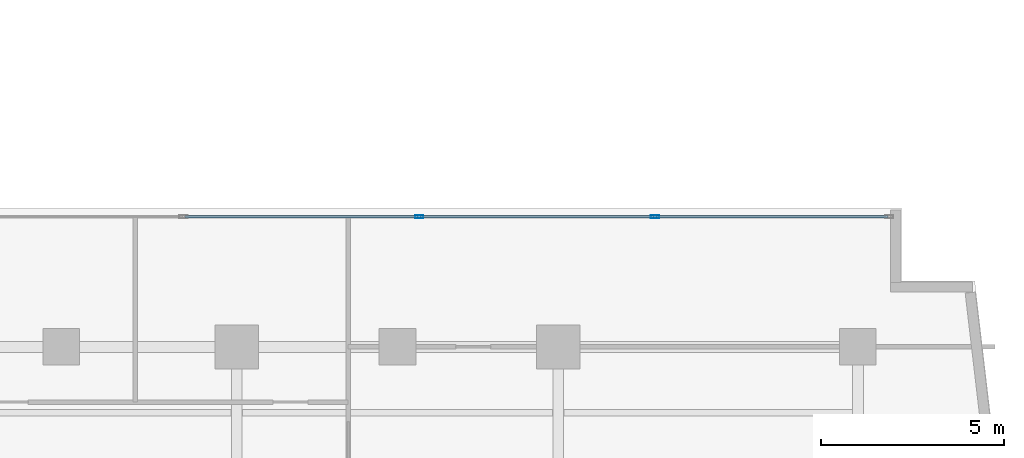
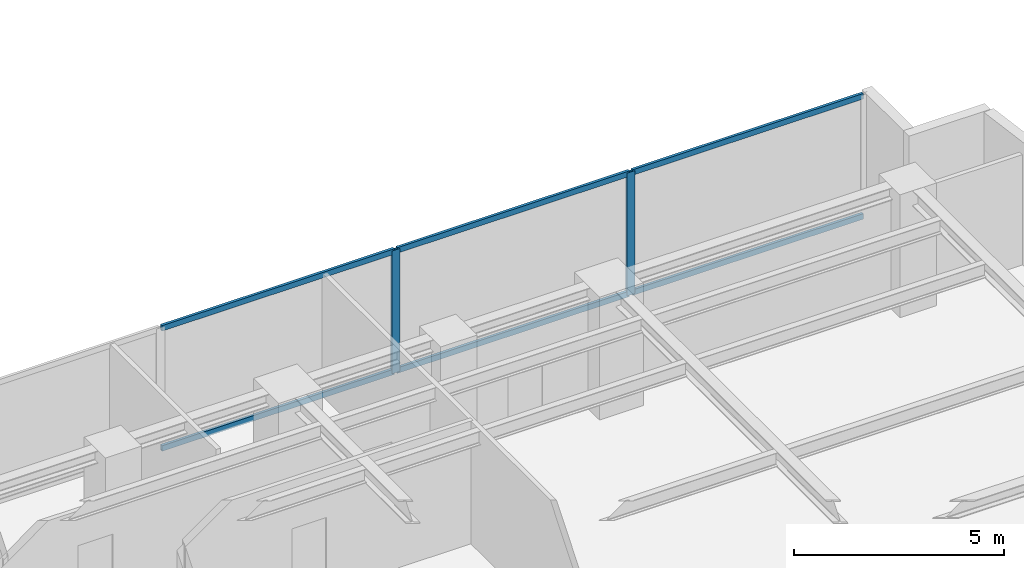
# One storey, part 13 of 26: 8 members, 1 element without a shape of its own.
"""IFC4 building model written with IfcOpenShell, lengths in metres."""

import ifcopenshell
import ifcopenshell.guid

model = None  # the IFC model being written
_history = None  # IfcOwnerHistory: only IFC2X3 demands one
_inside = {}  # id of a spatial element -> (the spatial element, [elements in it])
_under = {}  # id of a project, library or spatial element -> (it, [spatial elements below it])
_declared = {}  # id of a project -> (the project, [libraries it declares])
_typed = {}  # id of a type object -> (the type object, [elements of that type])
_made_of = {}  # id of a material, layer set ... -> (it, [elements and type objects made of it])


def new_model(schema):
    """Start an empty IFC model of exactly this schema.

    Asked for "IFC4X3", IfcOpenShell would pick the latest addendum, in which some entities
    have other attributes; the version numbers below select the first issue.
    IFC2X3 requires an IfcOwnerHistory on every rooted entity: one is made here for all.
    """
    global model, _history
    if schema == "IFC4X3":
        model = ifcopenshell.file(schema_version=(4, 3, 0, 0))
    else:
        model = ifcopenshell.file(schema=schema)
    _inside.clear()
    _under.clear()
    _declared.clear()
    _typed.clear()
    _made_of.clear()
    _history = None
    if model.schema == "IFC2X3":
        org = make("IfcOrganization", Name="unknown")
        user = make(
            "IfcPersonAndOrganization",
            ThePerson=make("IfcPerson", FamilyName="unknown"),
            TheOrganization=org,
        )
        app = make(
            "IfcApplication",
            ApplicationDeveloper=org,
            Version="unknown",
            ApplicationFullName="unknown",
            ApplicationIdentifier="unknown",
        )
        _history = make(
            "IfcOwnerHistory",
            OwningUser=user,
            OwningApplication=app,
            ChangeAction="ADDED",
            CreationDate=0,
        )
    return model


def make(cls, **values):
    """One entity of the class cls with the attributes given. An attribute that is None is left unset."""
    return model.create_entity(
        cls, **{name: value for name, value in values.items() if value is not None}
    )


def rooted(cls, **values):
    """An entity with a GlobalId (a new one), such as an element, a storey or a relation."""
    return make(cls, GlobalId=ifcopenshell.guid.new(), OwnerHistory=_history, **values)


def si_unit(unit_type, name, prefix=None):
    """IfcSIUnit, for example si_unit("LENGTHUNIT", "METRE", prefix="MILLI")."""
    return make("IfcSIUnit", UnitType=unit_type, Prefix=prefix, Name=name)


def assignment(units):
    """IfcUnitAssignment: the units of a project."""
    return None if units is None else make("IfcUnitAssignment", Units=units)


def point(xyz):
    """IfcCartesianPoint."""
    return None if xyz is None else make("IfcCartesianPoint", Coordinates=xyz)


def direction(xyz):
    """IfcDirection."""
    return None if xyz is None else make("IfcDirection", DirectionRatios=xyz)


def frame(location, z_axis=None, x_axis=None):
    """IfcAxis2Placement3D, a coordinate frame: its origin and axes. An axis left out is left unset."""
    return make(
        "IfcAxis2Placement3D",
        Location=point(location),
        Axis=direction(z_axis),
        RefDirection=direction(x_axis),
    )


def frame_2d(location, x_axis=None):
    """IfcAxis2Placement2D, a coordinate frame in the plane: its origin and x axis."""
    return make(
        "IfcAxis2Placement2D", Location=point(location), RefDirection=direction(x_axis)
    )


def origin():
    """The frame at (0, 0, 0) with its axes left unset."""
    return frame((0.0, 0.0, 0.0))


def origin_with_axes():
    """The frame at (0, 0, 0) with the z axis (0, 0, 1) and the x axis (1, 0, 0) written out."""
    return frame((0.0, 0.0, 0.0), z_axis=(0.0, 0.0, 1.0), x_axis=(1.0, 0.0, 0.0))


def origin_2d():
    """The frame at (0, 0) in the plane with its x axis left unset."""
    return frame_2d((0.0, 0.0))


def place(relative_to, where):
    """IfcLocalPlacement: puts the frame where relative to a parent placement (None: the world)."""
    return make(
        "IfcLocalPlacement", PlacementRelTo=relative_to, RelativePlacement=where
    )


def context(
    kind, dimensions, precision=None, world=None, true_north=None, identifier=None
):
    """IfcGeometricRepresentationContext, for example the 3D "Model" context."""
    return make(
        "IfcGeometricRepresentationContext",
        ContextIdentifier=identifier,
        ContextType=kind,
        CoordinateSpaceDimension=dimensions,
        Precision=precision,
        WorldCoordinateSystem=world,
        TrueNorth=true_north,
    )


def subcontext(parent, identifier, kind, view, scale=None):
    """IfcGeometricRepresentationSubContext, for example "Body" below "Model"."""
    return make(
        "IfcGeometricRepresentationSubContext",
        ContextIdentifier=identifier,
        ContextType=kind,
        ParentContext=parent,
        TargetScale=scale,
        TargetView=view,
    )


def project(units=None, contexts=None):
    """IfcProject with its units and contexts."""
    return rooted(
        "IfcProject",
        Name="project",
        RepresentationContexts=contexts,
        UnitsInContext=assignment(units),
    )


def spatial(cls, under=None, at=None, **own):
    """A site, building, storey or space (cls), placed at a placement, below another one or the project."""
    s = rooted(cls, ObjectPlacement=at, **own)
    if under is not None:
        _under.setdefault(under.id(), (under, []))[1].append(s)
    return s


def profile(cls, at=None, kind="AREA", **sizes):
    """A parametric profile (cls). Its sizes go by their IFC names, for example OverallWidth=200.0."""
    return make(cls, ProfileType=kind, Position=at, **sizes)


def hollow_rectangle(**sizes):
    """IfcRectangleHollowProfileDef."""
    return profile("IfcRectangleHollowProfileDef", **sizes)


def extrude(swept, where, along, depth):
    """IfcExtrudedAreaSolid: the profile swept, set in the frame where, extruded along a direction by depth."""
    return make(
        "IfcExtrudedAreaSolid",
        SweptArea=swept,
        Position=where,
        ExtrudedDirection=direction(along),
        Depth=depth,
    )


def shape(context_of_items, identifier, shape_type, items):
    """IfcShapeRepresentation: the items that make up one representation, for example the "Body"."""
    return make(
        "IfcShapeRepresentation",
        ContextOfItems=context_of_items,
        RepresentationIdentifier=identifier,
        RepresentationType=shape_type,
        Items=items,
    )


def source(mapping_origin, context_of_items, identifier, shape_type, items):
    """IfcRepresentationMap: a shape defined once, which mapped items show again and again."""
    return make(
        "IfcRepresentationMap",
        MappingOrigin=mapping_origin,
        MappedRepresentation=shape(context_of_items, identifier, shape_type, items),
    )


def transform(
    local_origin,
    x_axis=None,
    y_axis=None,
    z_axis=None,
    scale=None,
    scale2=None,
    scale3=None,
    uniform=True,
):
    """IfcCartesianTransformationOperator3D, or its non-uniform kind. x_axis, y_axis, z_axis: its Axis1, 2, 3."""
    if uniform:
        return make(
            "IfcCartesianTransformationOperator3D",
            Axis1=direction(x_axis),
            Axis2=direction(y_axis),
            LocalOrigin=point(local_origin),
            Scale=scale,
            Axis3=direction(z_axis),
        )
    return make(
        "IfcCartesianTransformationOperator3DnonUniform",
        Axis1=direction(x_axis),
        Axis2=direction(y_axis),
        LocalOrigin=point(local_origin),
        Scale=scale,
        Axis3=direction(z_axis),
        Scale2=scale2,
        Scale3=scale3,
    )


def mapped(mapping_source, mapping_target):
    """IfcMappedItem: shows the shape of a source again, moved by a transform."""
    return make(
        "IfcMappedItem", MappingSource=mapping_source, MappingTarget=mapping_target
    )


def material(Name=None, Category=None):
    """IfcMaterial."""
    return make("IfcMaterial", Name=Name, Category=Category)


def layer(
    of_material, thickness, ventilated=None, Name=None, Category=None, Priority=None
):
    """IfcMaterialLayer: one layer of a wall or slab, of a material (None: an air gap)."""
    return make(
        "IfcMaterialLayer",
        Material=of_material,
        LayerThickness=thickness,
        IsVentilated=ventilated,
        Name=Name,
        Category=Category,
        Priority=Priority,
    )


def layer_set(layers, Name=None):
    """IfcMaterialLayerSet."""
    return make("IfcMaterialLayerSet", MaterialLayers=layers, LayerSetName=Name)


def material_profile(
    of_material, cross_section, Name=None, Category=None, Priority=None
):
    """IfcMaterialProfile: a cross section and its material."""
    return make(
        "IfcMaterialProfile",
        Name=Name,
        Material=of_material,
        Profile=cross_section,
        Priority=Priority,
        Category=Category,
    )


def profile_set(profiles, Name=None, composite=None):
    """IfcMaterialProfileSet."""
    return make(
        "IfcMaterialProfileSet",
        Name=Name,
        MaterialProfiles=profiles,
        CompositeProfile=composite,
    )


def made_of(thing, what):
    """Note that an element or type object is made of a material, layer set ...; save() writes the relation."""
    if what is not None:
        _made_of.setdefault(what.id(), (what, []))[1].append(thing)
    return thing


def type_object(cls, material=None, **own):
    """A type object (cls), such as IfcWallType, which elements share."""
    return made_of(rooted(cls, **own), material)


def element(
    cls,
    number,
    at=None,
    inside=None,
    cuts=None,
    type_object=None,
    material=None,
    context=None,
    identifier="Body",
    shape_type=None,
    held_by="IfcProductDefinitionShape",
    body=None,
    shapes=None,
    **own,
):
    """One element of the class cls, such as IfcWall. Its Tag is "e" and its number.

    at: its placement. inside: the storey or other place that contains it. cuts: it is an
    opening in that element (IfcRelVoidsElement). A single representation is given by context,
    identifier, shape_type and body (its items); several are given by shapes. held_by: the class
    of the entity that holds the representations. save() writes the other relations.
    """
    e = rooted(cls, Tag="e%d" % number, ObjectPlacement=at, **own)
    if body is not None:
        shapes = [shape(context, identifier, shape_type, body)]
    if shapes is not None:
        e.Representation = make(held_by, Representations=shapes)
    if inside is not None:
        _inside.setdefault(inside.id(), (inside, []))[1].append(e)
    if cuts is not None:
        rooted(
            "IfcRelVoidsElement", RelatingBuildingElement=cuts, RelatedOpeningElement=e
        )
    if type_object is not None:
        _typed.setdefault(type_object.id(), (type_object, []))[1].append(e)
    return made_of(e, material)


def aggregate(whole, parts):
    """IfcRelAggregates: a whole, such as a stair, and the parts it consists of."""
    return rooted("IfcRelAggregates", RelatingObject=whole, RelatedObjects=parts)


def save(model, path):
    """Write the relations noted so far, then the file.

    IfcRelAggregates (storeys below a building ...), IfcRelContainedInSpatialStructure (elements
    in a storey), IfcRelDefinesByType, IfcRelAssociatesMaterial and IfcRelDeclares: one each for
    every whole, place, type object, material and project.
    """
    for whole, parts in _under.values():
        aggregate(whole, parts)
    for where, things in _inside.values():
        rooted(
            "IfcRelContainedInSpatialStructure",
            RelatedElements=things,
            RelatingStructure=where,
        )
    for kind, things in _typed.values():
        rooted("IfcRelDefinesByType", RelatedObjects=things, RelatingType=kind)
    for what, things in _made_of.values():
        rooted("IfcRelAssociatesMaterial", RelatedObjects=things, RelatingMaterial=what)
    for by, libraries in _declared.values():
        rooted("IfcRelDeclares", RelatingContext=by, RelatedDefinitions=libraries)
    model.write(path)


model = new_model("IFC4")

# Units and contexts
model_context = context("Model", 3, precision=1e-05, world=origin(), true_north=direction((0.0, 1.0)))
body_context = subcontext(model_context, "Body", "Model", "MODEL_VIEW")
ifc_project = project(units=[si_unit("LENGTHUNIT", "METRE"), si_unit("AREAUNIT", "SQUARE_METRE"), si_unit("VOLUMEUNIT", "CUBIC_METRE"), si_unit("PLANEANGLEUNIT", "RADIAN"), si_unit("MASSUNIT", "GRAM", prefix="KILO")], contexts=[model_context])

# Site, building, storey
site_placement = place(None, origin())
site = spatial("IfcSite", under=ifc_project, at=site_placement, CompositionType="ELEMENT")
building_placement = place(site_placement, origin())
building = spatial("IfcBuilding", under=site, at=building_placement, Name="Kolvaren Waterfront Exchange", CompositionType="ELEMENT")
storey_placement = place(building_placement, frame((0.0, 0.0, 150.0)))
storey = spatial("IfcBuildingStorey", under=building, at=storey_placement, Name="L38", CompositionType="ELEMENT", Elevation=150.0)

# Curtain wall, members
ifc_material_1 = material(Name="Anodised bronze aluminium 6063-T6", Category="aluminium")
ifc_layer = layer(ifc_material_1, 0.219970703125, Name="Anodised bronze aluminium 6063-T6")
ifc_layer_set = layer_set([ifc_layer], Name="Anodised bronze aluminium 6063-T6")
curtain_wall_type = type_object("IfcCurtainWallType", Name="ARC-CW-SYS1", PredefinedType="USERDEFINED", material=ifc_layer_set)
curtain_wall_placement = place(storey_placement, origin())
curtain_wall = element("IfcCurtainWall", 1, at=curtain_wall_placement, inside=storey, type_object=curtain_wall_type, Name="L38 stick curtain wall CW1 (CW-L38-EN)", ObjectType="STICK CURTAIN WALL", PredefinedType="USERDEFINED")
ifc_material_2 = material(Name="Anodised aluminium 6063-T6", Category="aluminium")
ifc_material_profile_1 = material_profile(ifc_material_2, hollow_rectangle(XDim=0.080078125, YDim=0.219970703125, WallThickness=0.0048828125, at=origin_2d()), Name="ALU-MUL-220x80x5")
ifc_profile_set_1 = profile_set([ifc_material_profile_1], Name="Anodised aluminium 6063-T6")
member_type_1 = type_object("IfcMemberType", Name="ARC-CWM-220", PredefinedType="MULLION", material=ifc_profile_set_1)
shared_shape_1 = source(origin_with_axes(), body_context, "Body", "SweptSolid", [
    extrude(hollow_rectangle(XDim=0.080078125, YDim=0.219970703125, WallThickness=0.0048828125, at=origin_2d()), origin(), (0.0, 0.0, 1.0), 3.56005859375),
])
member_1_placement = place(storey_placement, frame((41.794921875, 20.9599609375, 0.0), z_axis=(0.0, 0.0, 1.0), x_axis=(0.0, 1.0, 0.0)))
member_1 = element("IfcMember", 2, at=member_1_placement, type_object=member_type_1, Name="CW1 mullion 3", PredefinedType="MULLION", context=body_context, shape_type="MappedRepresentation", body=[
    mapped(shared_shape_1, transform((0.0, 0.0, 0.0), x_axis=(1.0, 0.0, 0.0), y_axis=(0.0, 1.0, 0.0), z_axis=(0.0, 0.0, 1.0), scale=1.0)),
])
member_2_placement = place(storey_placement, frame((48.24755859375, 20.9599609375, 0.0), z_axis=(0.0, 0.0, 1.0), x_axis=(0.0, 1.0, 0.0)))
member_2 = element("IfcMember", 3, at=member_2_placement, type_object=member_type_1, Name="CW1 mullion 4", PredefinedType="MULLION", context=body_context, shape_type="MappedRepresentation", body=[
    mapped(shared_shape_1, transform((0.0, 0.0, 0.0), x_axis=(1.0, 0.0, 0.0), y_axis=(0.0, 1.0, 0.0), z_axis=(0.0, 0.0, 1.0), scale=1.0)),
])
ifc_material_profile_2 = material_profile(ifc_material_2, hollow_rectangle(XDim=0.074951171875, YDim=0.159912109375, WallThickness=0.00439453125, at=origin_2d()), Name="ALU-TRN-160x75x4.5")
ifc_profile_set_2 = profile_set([ifc_material_profile_2], Name="Anodised aluminium 6063-T6")
member_type_2 = type_object("IfcMemberType", Name="ARC-CWT-160", PredefinedType="USERDEFINED", material=ifc_profile_set_2)
shared_shape_2 = source(origin_with_axes(), body_context, "Body", "SweptSolid", [
    extrude(hollow_rectangle(XDim=0.074951171875, YDim=0.159912109375, WallThickness=0.00439453125, at=origin_2d()), origin(), (0.0, 0.0, 1.0), 6.33251953125),
])
member_3_placement = place(storey_placement, frame((48.28759765625, 20.9599609375, 0.03759765625), z_axis=(1.0, 0.0, 0.0), x_axis=(0.0, 1.0, 0.0)))
member_3 = element("IfcMember", 4, at=member_3_placement, type_object=member_type_2, Name="CW1 transom 4.1", ObjectType="TRANSOM", PredefinedType="USERDEFINED", context=body_context, shape_type="MappedRepresentation", body=[
    mapped(shared_shape_2, transform((0.0, 0.0, 0.0), x_axis=(1.0, 0.0, 0.0), y_axis=(0.0, 1.0, 0.0), z_axis=(0.0, 0.0, 1.0), scale=1.0)),
])
member_4_placement = place(storey_placement, frame((48.28759765625, 20.9599609375, 3.5224609375), z_axis=(1.0, 0.0, 0.0), x_axis=(0.0, 1.0, 0.0)))
member_4 = element("IfcMember", 5, at=member_4_placement, type_object=member_type_2, Name="CW1 transom 4.2", ObjectType="TRANSOM", PredefinedType="USERDEFINED", context=body_context, shape_type="MappedRepresentation", body=[
    mapped(shared_shape_2, transform((0.0, 0.0, 0.0), x_axis=(1.0, 0.0, 0.0), y_axis=(0.0, 1.0, 0.0), z_axis=(0.0, 0.0, 1.0), scale=1.0)),
])
shared_shape_3 = source(origin_with_axes(), body_context, "Body", "SweptSolid", [
    extrude(hollow_rectangle(XDim=0.074951171875, YDim=0.159912109375, WallThickness=0.00439453125, at=origin_2d()), origin(), (0.0, 0.0, 1.0), 6.372314453125),
])
member_5_placement = place(storey_placement, frame((35.382568359375, 20.9599609375, 0.03759765625), z_axis=(1.0, 0.0, 0.0), x_axis=(0.0, 1.0, 0.0)))
member_5 = element("IfcMember", 6, at=member_5_placement, type_object=member_type_2, Name="CW1 transom 2.1", ObjectType="TRANSOM", PredefinedType="USERDEFINED", context=body_context, shape_type="MappedRepresentation", body=[
    mapped(shared_shape_3, transform((0.0, 0.0, 0.0), x_axis=(1.0, 0.0, 0.0), y_axis=(0.0, 1.0, 0.0), z_axis=(0.0, 0.0, 1.0), scale=1.0)),
])
member_6_placement = place(storey_placement, frame((35.382568359375, 20.9599609375, 3.5224609375), z_axis=(1.0, 0.0, 0.0), x_axis=(0.0, 1.0, 0.0)))
member_6 = element("IfcMember", 7, at=member_6_placement, type_object=member_type_2, Name="CW1 transom 2.2", ObjectType="TRANSOM", PredefinedType="USERDEFINED", context=body_context, shape_type="MappedRepresentation", body=[
    mapped(shared_shape_3, transform((0.0, 0.0, 0.0), x_axis=(1.0, 0.0, 0.0), y_axis=(0.0, 1.0, 0.0), z_axis=(0.0, 0.0, 1.0), scale=1.0)),
])
shared_shape_4 = source(origin_with_axes(), body_context, "Body", "SweptSolid", [
    extrude(hollow_rectangle(XDim=0.074951171875, YDim=0.159912109375, WallThickness=0.00439453125, at=origin_2d()), origin(), (0.0, 0.0, 1.0), 6.37255859375),
])
member_7_placement = place(storey_placement, frame((41.8349609375, 20.9599609375, 0.03759765625), z_axis=(1.0, 0.0, 0.0), x_axis=(0.0, 1.0, 0.0)))
member_7 = element("IfcMember", 8, at=member_7_placement, type_object=member_type_2, Name="CW1 transom 3.1", ObjectType="TRANSOM", PredefinedType="USERDEFINED", context=body_context, shape_type="MappedRepresentation", body=[
    mapped(shared_shape_4, transform((0.0, 0.0, 0.0), x_axis=(1.0, 0.0, 0.0), y_axis=(0.0, 1.0, 0.0), z_axis=(0.0, 0.0, 1.0), scale=1.0)),
])
member_8_placement = place(storey_placement, frame((41.8349609375, 20.9599609375, 3.5224609375), z_axis=(1.0, 0.0, 0.0), x_axis=(0.0, 1.0, 0.0)))
member_8 = element("IfcMember", 9, at=member_8_placement, type_object=member_type_2, Name="CW1 transom 3.2", ObjectType="TRANSOM", PredefinedType="USERDEFINED", context=body_context, shape_type="MappedRepresentation", body=[
    mapped(shared_shape_4, transform((0.0, 0.0, 0.0), x_axis=(1.0, 0.0, 0.0), y_axis=(0.0, 1.0, 0.0), z_axis=(0.0, 0.0, 1.0), scale=1.0)),
])
aggregate(curtain_wall, [member_1, member_2, member_5, member_6, member_7, member_8, member_3, member_4])

save(model, "model.ifc")
